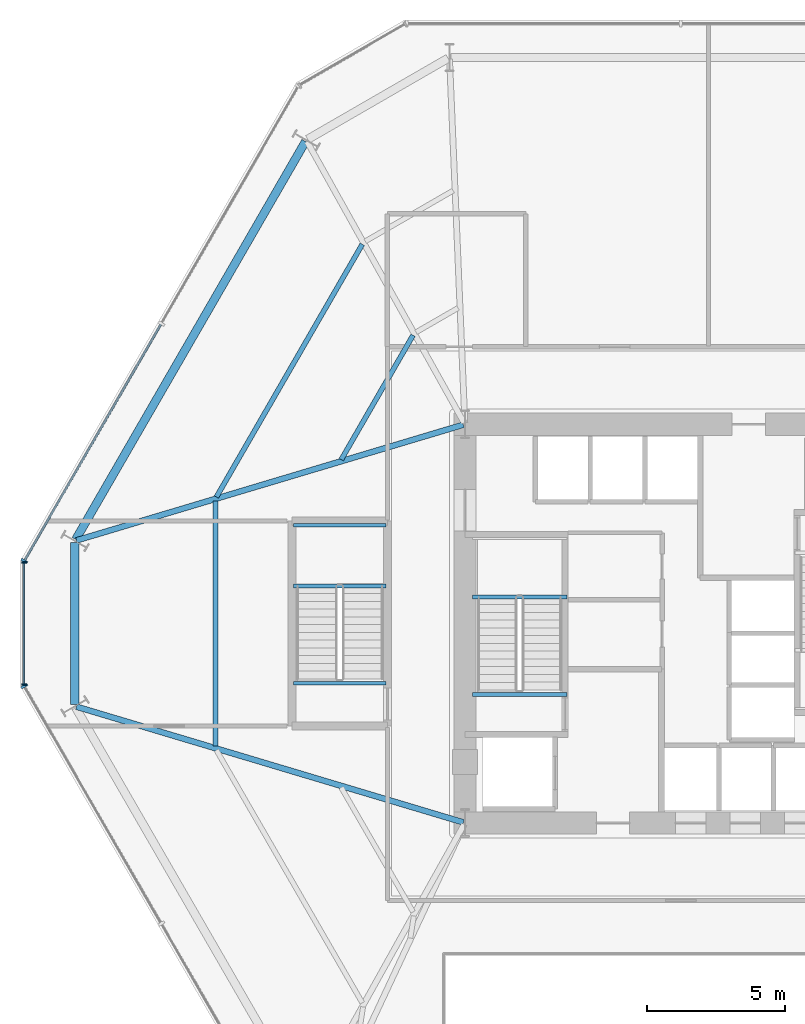
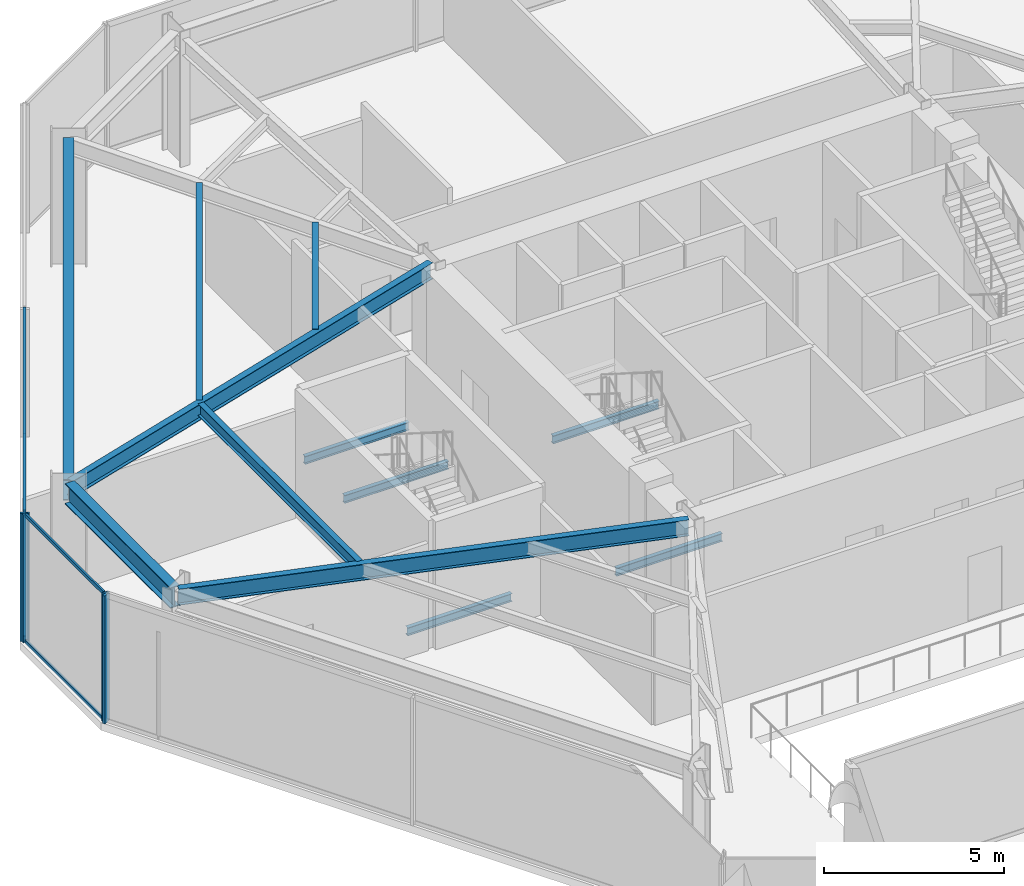
# One storey, part 7 of 22: 12 beams, 8 members, 3 elements without a shape of their own.
"""IFC4 building model written with IfcOpenShell, lengths in metres."""

from ifc_helpers import new_model, si_unit, direction, frame, origin, origin_2d, place, context, subcontext, project, spatial, rectangle, i_section, extrude, material, layer, layer_set, material_profile, profile_set, type_object, element, aggregate, save


model = new_model("IFC4")

# Units and contexts
model_context = context("Model", 3, precision=1e-05, world=origin(), true_north=direction((0.0, 1.0)))
body_context = subcontext(model_context, "Body", "Model", "MODEL_VIEW")
ifc_project = project(units=[si_unit("LENGTHUNIT", "METRE"), si_unit("AREAUNIT", "SQUARE_METRE"), si_unit("VOLUMEUNIT", "CUBIC_METRE"), si_unit("PLANEANGLEUNIT", "RADIAN"), si_unit("MASSUNIT", "GRAM", prefix="KILO")], contexts=[model_context])

# Site, building, storey
site_placement = place(None, origin())
site = spatial("IfcSite", under=ifc_project, at=site_placement, CompositionType="ELEMENT")
building_placement = place(site_placement, origin())
building = spatial("IfcBuilding", under=site, at=building_placement, Name="Kranzbogen Civic Tower", CompositionType="ELEMENT")
storey_placement = place(building_placement, frame((0.0, 0.0, 5.199951171875)))
storey = spatial("IfcBuildingStorey", under=building, at=storey_placement, Name="L01", CompositionType="ELEMENT", Elevation=5.199951171875)

# Curtain wall, members
ifc_material_1 = material(Name="Pale Anodised Aluminium", Category="aluminium")
ifc_layer_1 = layer(ifc_material_1, 0.219970703125, Name="Pale Anodised Aluminium")
ifc_layer_set_1 = layer_set([ifc_layer_1], Name="Pale Anodised Aluminium")
curtain_wall_type_1 = type_object("IfcCurtainWallType", Name="Chamfer Facet Stick Curtain Wall System CW-06", PredefinedType="USERDEFINED", material=ifc_layer_set_1)
curtain_wall_1_placement = place(storey_placement, origin())
curtain_wall_1 = element("IfcCurtainWall", 1, at=curtain_wall_1_placement, inside=storey, type_object=curtain_wall_type_1, Name="L01 curtain wall CW-L01-C3", ObjectType="STICK CURTAIN WALL", PredefinedType="USERDEFINED")
ifc_material_profile_1 = material_profile(ifc_material_1, rectangle(XDim=0.06005859375, YDim=0.159912109375, at=origin_2d()), Name="ALU-M 60x160")
ifc_profile_set_1 = profile_set([ifc_material_profile_1], Name="Pale Anodised Aluminium")
member_type_1 = type_object("IfcMemberType", Name="Curtain Wall Mullion ALU-M 60x160", PredefinedType="MULLION", material=ifc_profile_set_1)
member_1_placement = place(storey_placement, frame((1.26611328125, 27.20703125, 0.0), z_axis=(0.0, 0.0, 1.0), x_axis=(0.0, -1.0, 0.0)))
member_1 = element("IfcMember", 2, at=member_1_placement, type_object=member_type_1, Name="CW-06 mullion 1", PredefinedType="MULLION", context=body_context, shape_type="SweptSolid", body=[
    extrude(rectangle(XDim=0.06005859375, YDim=0.159912109375, at=origin_2d()), origin(), (0.0, 0.0, 1.0), 4.340087890625),
])
member_2_placement = place(storey_placement, frame((1.26611328125, 22.79296875, 0.0), z_axis=(0.0, 0.0, 1.0), x_axis=(0.0, -1.0, 0.0)))
member_2 = element("IfcMember", 3, at=member_2_placement, type_object=member_type_1, Name="CW-06 mullion 2", PredefinedType="MULLION", context=body_context, shape_type="SweptSolid", body=[
    extrude(rectangle(XDim=0.06005859375, YDim=0.159912109375, at=origin_2d()), origin(), (0.0, 0.0, 1.0), 4.340087890625),
])

# Curtain wall, member
ifc_layer_2 = layer(ifc_material_1, 0.219970703125, Name="Pale Anodised Aluminium")
ifc_layer_set_2 = layer_set([ifc_layer_2], Name="Pale Anodised Aluminium")
curtain_wall_type_2 = type_object("IfcCurtainWallType", Name="Podium Stick Curtain Wall System CW-01", PredefinedType="USERDEFINED", material=ifc_layer_set_2)
curtain_wall_2_placement = place(storey_placement, origin())
curtain_wall_2 = element("IfcCurtainWall", 4, at=curtain_wall_2_placement, inside=storey, type_object=curtain_wall_type_2, Name="L01 curtain wall CW-L01-F3", ObjectType="STICK CURTAIN WALL", PredefinedType="USERDEFINED")
ifc_material_profile_2 = material_profile(ifc_material_1, rectangle(XDim=0.0849609375, YDim=0.260009765625, at=origin_2d()), Name="ALU-M 85x260")
ifc_profile_set_2 = profile_set([ifc_material_profile_2], Name="Pale Anodised Aluminium")
member_type_2 = type_object("IfcMemberType", Name="Curtain Wall Mullion ALU-M 85x260", PredefinedType="MULLION", material=ifc_profile_set_2)
member_3_placement = place(storey_placement, frame((1.281005859375, 27.262939453125, 0.0), z_axis=(0.0, 0.0, 1.0), x_axis=(-0.500005767433, -0.86602207393, 0.0)))
member_3 = element("IfcMember", 5, at=member_3_placement, type_object=member_type_2, Name="CW-01 mullion 3", PredefinedType="MULLION", context=body_context, shape_type="SweptSolid", body=[
    extrude(rectangle(XDim=0.0849609375, YDim=0.260009765625, at=origin_2d()), origin(), (0.0, 0.0, 1.0), 4.340087890625),
])

curtain_wall_3_placement = place(storey_placement, origin())
curtain_wall_3 = element("IfcCurtainWall", 6, at=curtain_wall_3_placement, inside=storey, type_object=curtain_wall_type_2, Name="L01 curtain wall CW-L01-F4", ObjectType="STICK CURTAIN WALL", PredefinedType="USERDEFINED")
member_4_placement = place(storey_placement, frame((1.281005859375, 22.737060546875, 0.0), z_axis=(0.0, 0.0, 1.0), x_axis=(0.500005767433, -0.86602207393, 0.0)))
member_4 = element("IfcMember", 7, at=member_4_placement, type_object=member_type_2, Name="CW-01 mullion 1", PredefinedType="MULLION", context=body_context, shape_type="SweptSolid", body=[
    extrude(rectangle(XDim=0.0849609375, YDim=0.260009765625, at=origin_2d()), origin(), (0.0, 0.0, 1.0), 4.340087890625),
])
aggregate(curtain_wall_3, [member_4])

# Member
ifc_material_profile_3 = material_profile(ifc_material_1, rectangle(XDim=0.06005859375, YDim=0.1201171875, at=origin_2d()), Name="ALU-T 60x120")
ifc_profile_set_3 = profile_set([ifc_material_profile_3], Name="Pale Anodised Aluminium")
member_type_3 = type_object("IfcMemberType", Name="Curtain Wall Transom ALU-T 60x120", PredefinedType="USERDEFINED", material=ifc_profile_set_3)
member_5_placement = place(storey_placement, frame((1.26611328125, 27.177001953125, 0.030029296875), z_axis=(0.0, -1.0, 0.0), x_axis=(1.0, 0.0, 0.0)))
member_5 = element("IfcMember", 8, at=member_5_placement, type_object=member_type_3, Name="CW-06 transom 1.1", ObjectType="TRANSOM", PredefinedType="USERDEFINED", context=body_context, shape_type="SweptSolid", body=[
    extrude(rectangle(XDim=0.06005859375, YDim=0.1201171875, at=origin_2d()), origin(), (0.0, 0.0, 1.0), 4.35400390625),
])

member_6_placement = place(storey_placement, frame((1.26611328125, 27.177001953125, 4.31005859375), z_axis=(0.0, -1.0, 0.0), x_axis=(1.0, 0.0, 0.0)))
member_6 = element("IfcMember", 9, at=member_6_placement, type_object=member_type_3, Name="CW-06 transom 1.2", ObjectType="TRANSOM", PredefinedType="USERDEFINED", context=body_context, shape_type="SweptSolid", body=[
    extrude(rectangle(XDim=0.06005859375, YDim=0.1201171875, at=origin_2d()), origin(), (0.0, 0.0, 1.0), 4.35400390625),
])

aggregate(curtain_wall_1, [member_1, member_2, member_5, member_6])

ifc_material_profile_4 = material_profile(ifc_material_1, rectangle(XDim=0.0849609375, YDim=0.195068359375, at=origin_2d()), Name="ALU-T 85x195")
ifc_profile_set_4 = profile_set([ifc_material_profile_4], Name="Pale Anodised Aluminium")
member_type_4 = type_object("IfcMemberType", Name="Curtain Wall Transom ALU-T 85x195", PredefinedType="USERDEFINED", material=ifc_profile_set_4)
member_7_placement = place(storey_placement, frame((6.216064453125, 35.810546875, 0.030029296875), z_axis=(-0.500021701106, -0.866012874282, 0.0), x_axis=(0.866012874282, -0.500021701106, 0.0)))
member_7 = element("IfcMember", 10, at=member_7_placement, type_object=member_type_4, Name="CW-01 transom 2.1", ObjectType="TRANSOM", PredefinedType="USERDEFINED", context=body_context, shape_type="SweptSolid", body=[
    extrude(rectangle(XDim=0.0849609375, YDim=0.195068359375, at=origin_2d()), origin(), (0.0, 0.0, 1.0), 9.83984375),
])

member_8_placement = place(storey_placement, frame((6.216064453125, 35.810546875, 4.31005859375), z_axis=(-0.500021701106, -0.866012874282, 0.0), x_axis=(0.866012874282, -0.500021701106, 0.0)))
member_8 = element("IfcMember", 11, at=member_8_placement, type_object=member_type_4, Name="CW-01 transom 2.2", ObjectType="TRANSOM", PredefinedType="USERDEFINED", context=body_context, shape_type="SweptSolid", body=[
    extrude(rectangle(XDim=0.0849609375, YDim=0.195068359375, at=origin_2d()), origin(), (0.0, 0.0, 1.0), 9.83984375),
])

aggregate(curtain_wall_2, [member_3, member_7, member_8])

# Beams
ifc_material_2 = material(Name="Steel S355", Category="steel")
ifc_material_profile_5 = material_profile(ifc_material_2, i_section(OverallWidth=0.300048828125, OverallDepth=0.699951171875, WebThickness=0.01708984375, FlangeThickness=0.031982421875, at=origin_2d()), Name="HEB 700")
ifc_profile_set_5 = profile_set([ifc_material_profile_5], Name="Steel S355")
beam_type_1 = type_object("IfcBeamType", Name="Perimeter Tube Spandrel Beam HEB 700", PredefinedType="SPANDREL", material=ifc_profile_set_5)
beam_1_placement = place(storey_placement, frame((11.43896484375, 42.412109375, 3.989990234375), z_axis=(-0.500010210561, -0.866019508634, 0.0), x_axis=(0.866019508634, -0.500010210561, 0.0)))
element("IfcBeam", 12, at=beam_1_placement, inside=storey, type_object=beam_type_1, Name="L01 perimeter spandrel beam 11", PredefinedType="SPANDREL", context=body_context, shape_type="SweptSolid", body=[
    extrude(i_section(OverallWidth=0.300048828125, OverallDepth=0.699951171875, WebThickness=0.01708984375, FlangeThickness=0.031982421875, at=origin_2d()), origin(), (0.0, 0.0, 1.0), 16.597900390625),
])
beam_2_placement = place(storey_placement, frame((3.110107421875, 27.926025390625, 3.989990234375), z_axis=(0.0, -1.0, 0.0), x_axis=(1.0, 0.0, 0.0)))
element("IfcBeam", 13, at=beam_2_placement, inside=storey, type_object=beam_type_1, Name="L01 perimeter spandrel beam 12", PredefinedType="SPANDREL", context=body_context, shape_type="SweptSolid", body=[
    extrude(i_section(OverallWidth=0.300048828125, OverallDepth=0.699951171875, WebThickness=0.01708984375, FlangeThickness=0.031982421875, at=origin_2d()), origin(), (0.0, 0.0, 1.0), 5.85205078125),
])
ifc_material_profile_6 = material_profile(ifc_material_2, i_section(OverallWidth=0.2099609375, OverallDepth=0.550048828125, WebThickness=0.010986328125, FlangeThickness=0.01708984375, at=origin_2d()), Name="IPE 550")
ifc_profile_set_6 = profile_set([ifc_material_profile_6], Name="Steel S355")
beam_type_2 = type_object("IfcBeamType", Name="Radial Tower Floor Girder IPE 550", PredefinedType="BEAM", material=ifc_profile_set_6)
for number, where, z_axis, x_axis, name in (
    (14, (3.1669921875, 21.9970703125, 4.06494140625), (0.958064557048, -0.286552446385, 0.0), (0.286552446385, 0.958064557048, 0.0), "L01 radial floor girder 01"),
    (15, (3.1669921875, 28.0029296875, 4.06494140625), (0.958064557048, 0.286552446385, 0.0), (-0.286552446385, 0.958064557048, 0.0), "L01 radial floor girder 12"),
):
    element("IfcBeam", number, at=place(storey_placement, frame(where, z_axis=z_axis, x_axis=x_axis)), inside=storey, type_object=beam_type_2, Name=name, PredefinedType="BEAM", context=body_context, shape_type="SweptSolid", body=[
        extrude(i_section(OverallWidth=0.2099609375, OverallDepth=0.550048828125, WebThickness=0.010986328125, FlangeThickness=0.01708984375, at=origin_2d()), origin(), (0.0, 0.0, 1.0), 14.587890625),
    ])
ifc_material_profile_7 = material_profile(ifc_material_2, i_section(OverallWidth=0.179931640625, OverallDepth=0.39990234375, WebThickness=0.008544921875, FlangeThickness=0.013427734375, at=origin_2d()), Name="IPE 400")
ifc_profile_set_7 = profile_set([ifc_material_profile_7], Name="Steel S355")
beam_type_3 = type_object("IfcBeamType", Name="Secondary Composite Floor Joist IPE 400", PredefinedType="JOIST", material=ifc_profile_set_7)
beam_3_placement = place(storey_placement, frame((13.491943359375, 38.699951171875, 4.14013671875), z_axis=(-0.500000488781, -0.866025121586, 0.0), x_axis=(0.866025121586, -0.500000488781, 0.0)))
element("IfcBeam", 16, at=beam_3_placement, inside=storey, type_object=beam_type_3, Name="L01 secondary floor joist 1.11", PredefinedType="JOIST", context=body_context, shape_type="SweptSolid", body=[
    extrude(i_section(OverallWidth=0.179931640625, OverallDepth=0.39990234375, WebThickness=0.008544921875, FlangeThickness=0.013427734375, at=origin_2d()), origin(), (0.0, 0.0, 1.0), 10.5400390625),
])
beam_4_placement = place(storey_placement, frame((15.325927734375, 35.4150390625, 4.14013671875), z_axis=(-0.500040090343, -0.866002256377, 0.0), x_axis=(0.866002256377, -0.500040090343, 0.0)))
element("IfcBeam", 17, at=beam_4_placement, inside=storey, type_object=beam_type_3, Name="L01 secondary floor joist 2.11", PredefinedType="JOIST", context=body_context, shape_type="SweptSolid", body=[
    extrude(i_section(OverallWidth=0.179931640625, OverallDepth=0.39990234375, WebThickness=0.008544921875, FlangeThickness=0.013427734375, at=origin_2d()), origin(), (0.0, 0.0, 1.0), 5.189453125),
])
beam_5_placement = place(storey_placement, frame((8.181884765625, 29.423095703125, 4.14013671875), z_axis=(0.0, -1.0, 0.0), x_axis=(1.0, 0.0, 0.0)))
element("IfcBeam", 18, at=beam_5_placement, inside=storey, type_object=beam_type_3, Name="L01 secondary floor joist 1.12", PredefinedType="JOIST", context=body_context, shape_type="SweptSolid", body=[
    extrude(i_section(OverallWidth=0.179931640625, OverallDepth=0.39990234375, WebThickness=0.008544921875, FlangeThickness=0.013427734375, at=origin_2d()), origin(), (0.0, 0.0, 1.0), 8.84619140625),
])
ifc_material_profile_8 = material_profile(ifc_material_2, i_section(OverallWidth=0.135009765625, OverallDepth=0.27001953125, WebThickness=0.006591796875, FlangeThickness=0.01025390625, at=origin_2d()), Name="IPE 270")
ifc_profile_set_8 = profile_set([ifc_material_profile_8], Name="Steel S355")
beam_type_4 = type_object("IfcBeamType", Name="Stair Landing Support Beam IPE 270", PredefinedType="JOIST", material=ifc_profile_set_8)
for number, where, z_axis, x_axis, name in (
    (19, (20.8798828125, 22.43994140625, -0.39501953125), (-1.0, 0.0, 0.0), (0.0, -1.0, 0.0), "L01 ST-T1 stair floor header beam"),
    (20, (20.8798828125, 25.9599609375, 1.965087890625), (-1.0, 0.0, 0.0), (0.0, -1.0, 0.0), "L01 ST-T1 landing support beam 1.1"),
):
    element("IfcBeam", number, at=place(storey_placement, frame(where, z_axis=z_axis, x_axis=x_axis)), inside=storey, type_object=beam_type_4, Name=name, PredefinedType="JOIST", context=body_context, shape_type="SweptSolid", body=[
        extrude(i_section(OverallWidth=0.135009765625, OverallDepth=0.27001953125, WebThickness=0.006591796875, FlangeThickness=0.01025390625, at=origin_2d()), origin(), (0.0, 0.0, 1.0), 3.409912109375),
    ])
for number, where, z_axis, x_axis, name in (
    (21, (14.35009765625, 22.840087890625, -0.39501953125), (-1.0, 0.0, 0.0), (0.0, -1.0, 0.0), "L01 ST-P1 stair floor header beam"),
    (22, (14.35009765625, 26.360107421875, 1.965087890625), (-1.0, 0.0, 0.0), (0.0, -1.0, 0.0), "L01 ST-P1 landing support beam 1.1"),
    (23, (14.35009765625, 28.550048828125, 1.965087890625), (-1.0, 0.0, 0.0), (0.0, -1.0, 0.0), "L01 ST-P1 landing support beam 1.2"),
):
    element("IfcBeam", number, at=place(storey_placement, frame(where, z_axis=z_axis, x_axis=x_axis)), inside=storey, type_object=beam_type_4, Name=name, PredefinedType="JOIST", context=body_context, shape_type="SweptSolid", body=[
        extrude(i_section(OverallWidth=0.135009765625, OverallDepth=0.27001953125, WebThickness=0.006591796875, FlangeThickness=0.01025390625, at=origin_2d()), origin(), (0.0, 0.0, 1.0), 3.35009765625),
    ])

save(model, "model.ifc")
